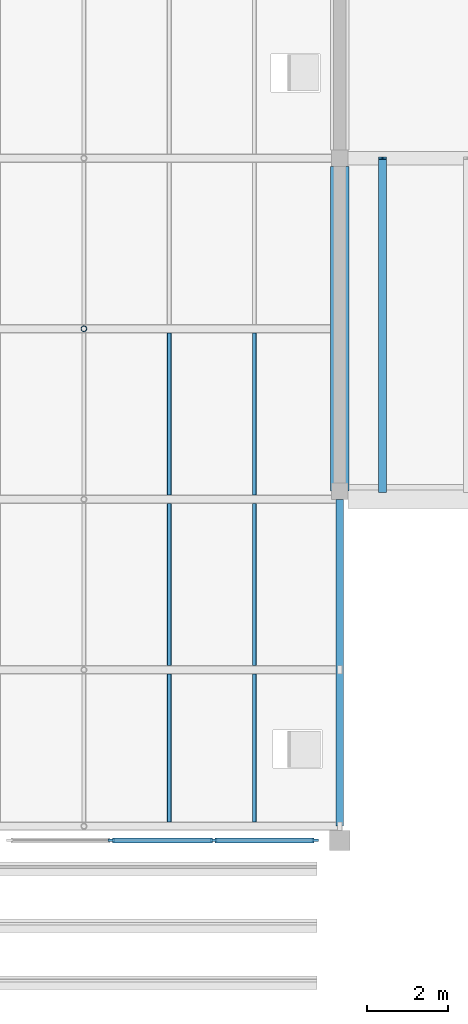
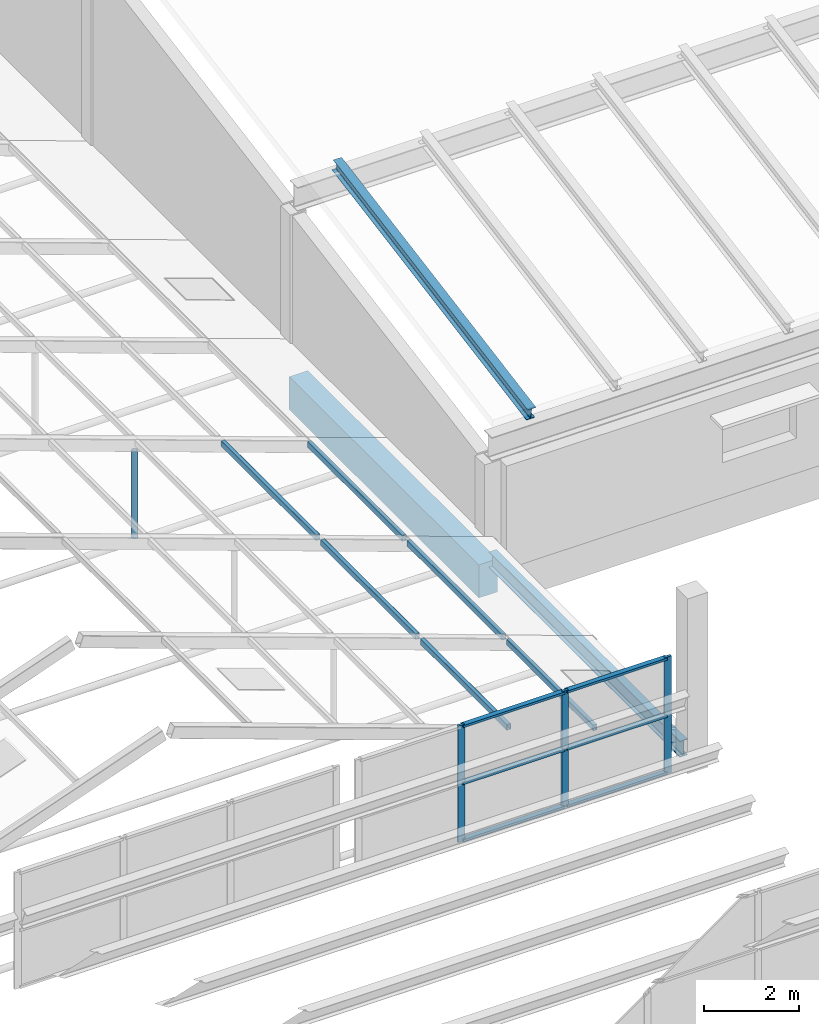
# One storey, part 35 of 116: 18 members, 1 beam, 1 element without a shape of its own.
"""IFC4 building model written with IfcOpenShell, lengths in metres."""

import ifcopenshell
import ifcopenshell.guid

model = None  # the IFC model being written
_history = None  # IfcOwnerHistory: only IFC2X3 demands one
_inside = {}  # id of a spatial element -> (the spatial element, [elements in it])
_under = {}  # id of a project, library or spatial element -> (it, [spatial elements below it])
_declared = {}  # id of a project -> (the project, [libraries it declares])
_typed = {}  # id of a type object -> (the type object, [elements of that type])
_made_of = {}  # id of a material, layer set ... -> (it, [elements and type objects made of it])


def new_model(schema):
    """Start an empty IFC model of exactly this schema.

    Asked for "IFC4X3", IfcOpenShell would pick the latest addendum, in which some entities
    have other attributes; the version numbers below select the first issue.
    IFC2X3 requires an IfcOwnerHistory on every rooted entity: one is made here for all.
    """
    global model, _history
    if schema == "IFC4X3":
        model = ifcopenshell.file(schema_version=(4, 3, 0, 0))
    else:
        model = ifcopenshell.file(schema=schema)
    _inside.clear()
    _under.clear()
    _declared.clear()
    _typed.clear()
    _made_of.clear()
    _history = None
    if model.schema == "IFC2X3":
        org = make("IfcOrganization", Name="unknown")
        user = make(
            "IfcPersonAndOrganization",
            ThePerson=make("IfcPerson", FamilyName="unknown"),
            TheOrganization=org,
        )
        app = make(
            "IfcApplication",
            ApplicationDeveloper=org,
            Version="unknown",
            ApplicationFullName="unknown",
            ApplicationIdentifier="unknown",
        )
        _history = make(
            "IfcOwnerHistory",
            OwningUser=user,
            OwningApplication=app,
            ChangeAction="ADDED",
            CreationDate=0,
        )
    return model


def make(cls, **values):
    """One entity of the class cls with the attributes given. An attribute that is None is left unset."""
    return model.create_entity(
        cls, **{name: value for name, value in values.items() if value is not None}
    )


def rooted(cls, **values):
    """An entity with a GlobalId (a new one), such as an element, a storey or a relation."""
    return make(cls, GlobalId=ifcopenshell.guid.new(), OwnerHistory=_history, **values)


def si_unit(unit_type, name, prefix=None):
    """IfcSIUnit, for example si_unit("LENGTHUNIT", "METRE", prefix="MILLI")."""
    return make("IfcSIUnit", UnitType=unit_type, Prefix=prefix, Name=name)


def assignment(units):
    """IfcUnitAssignment: the units of a project."""
    return None if units is None else make("IfcUnitAssignment", Units=units)


def point(xyz):
    """IfcCartesianPoint."""
    return None if xyz is None else make("IfcCartesianPoint", Coordinates=xyz)


def direction(xyz):
    """IfcDirection."""
    return None if xyz is None else make("IfcDirection", DirectionRatios=xyz)


def frame(location, z_axis=None, x_axis=None):
    """IfcAxis2Placement3D, a coordinate frame: its origin and axes. An axis left out is left unset."""
    return make(
        "IfcAxis2Placement3D",
        Location=point(location),
        Axis=direction(z_axis),
        RefDirection=direction(x_axis),
    )


def frame_2d(location, x_axis=None):
    """IfcAxis2Placement2D, a coordinate frame in the plane: its origin and x axis."""
    return make(
        "IfcAxis2Placement2D", Location=point(location), RefDirection=direction(x_axis)
    )


def origin():
    """The frame at (0, 0, 0) with its axes left unset."""
    return frame((0.0, 0.0, 0.0))


def origin_2d():
    """The frame at (0, 0) in the plane with its x axis left unset."""
    return frame_2d((0.0, 0.0))


def place(relative_to, where):
    """IfcLocalPlacement: puts the frame where relative to a parent placement (None: the world)."""
    return make(
        "IfcLocalPlacement", PlacementRelTo=relative_to, RelativePlacement=where
    )


def context(
    kind, dimensions, precision=None, world=None, true_north=None, identifier=None
):
    """IfcGeometricRepresentationContext, for example the 3D "Model" context."""
    return make(
        "IfcGeometricRepresentationContext",
        ContextIdentifier=identifier,
        ContextType=kind,
        CoordinateSpaceDimension=dimensions,
        Precision=precision,
        WorldCoordinateSystem=world,
        TrueNorth=true_north,
    )


def subcontext(parent, identifier, kind, view, scale=None):
    """IfcGeometricRepresentationSubContext, for example "Body" below "Model"."""
    return make(
        "IfcGeometricRepresentationSubContext",
        ContextIdentifier=identifier,
        ContextType=kind,
        ParentContext=parent,
        TargetScale=scale,
        TargetView=view,
    )


def project(units=None, contexts=None):
    """IfcProject with its units and contexts."""
    return rooted(
        "IfcProject",
        Name="project",
        RepresentationContexts=contexts,
        UnitsInContext=assignment(units),
    )


def spatial(cls, under=None, at=None, **own):
    """A site, building, storey or space (cls), placed at a placement, below another one or the project."""
    s = rooted(cls, ObjectPlacement=at, **own)
    if under is not None:
        _under.setdefault(under.id(), (under, []))[1].append(s)
    return s


def profile(cls, at=None, kind="AREA", **sizes):
    """A parametric profile (cls). Its sizes go by their IFC names, for example OverallWidth=200.0."""
    return make(cls, ProfileType=kind, Position=at, **sizes)


def rectangle(**sizes):
    """IfcRectangleProfileDef."""
    return profile("IfcRectangleProfileDef", **sizes)


def hollow_rectangle(**sizes):
    """IfcRectangleHollowProfileDef."""
    return profile("IfcRectangleHollowProfileDef", **sizes)


def hollow_circle(**sizes):
    """IfcCircleHollowProfileDef."""
    return profile("IfcCircleHollowProfileDef", **sizes)


def i_section(**sizes):
    """IfcIShapeProfileDef."""
    return profile("IfcIShapeProfileDef", **sizes)


def extrude(swept, where, along, depth):
    """IfcExtrudedAreaSolid: the profile swept, set in the frame where, extruded along a direction by depth."""
    return make(
        "IfcExtrudedAreaSolid",
        SweptArea=swept,
        Position=where,
        ExtrudedDirection=direction(along),
        Depth=depth,
    )


def shape(context_of_items, identifier, shape_type, items):
    """IfcShapeRepresentation: the items that make up one representation, for example the "Body"."""
    return make(
        "IfcShapeRepresentation",
        ContextOfItems=context_of_items,
        RepresentationIdentifier=identifier,
        RepresentationType=shape_type,
        Items=items,
    )


def material(Name=None, Category=None):
    """IfcMaterial."""
    return make("IfcMaterial", Name=Name, Category=Category)


def material_profile(
    of_material, cross_section, Name=None, Category=None, Priority=None
):
    """IfcMaterialProfile: a cross section and its material."""
    return make(
        "IfcMaterialProfile",
        Name=Name,
        Material=of_material,
        Profile=cross_section,
        Priority=Priority,
        Category=Category,
    )


def profile_set(profiles, Name=None, composite=None):
    """IfcMaterialProfileSet."""
    return make(
        "IfcMaterialProfileSet",
        Name=Name,
        MaterialProfiles=profiles,
        CompositeProfile=composite,
    )


def made_of(thing, what):
    """Note that an element or type object is made of a material, layer set ...; save() writes the relation."""
    if what is not None:
        _made_of.setdefault(what.id(), (what, []))[1].append(thing)
    return thing


def type_object(cls, material=None, **own):
    """A type object (cls), such as IfcWallType, which elements share."""
    return made_of(rooted(cls, **own), material)


def element(
    cls,
    number,
    at=None,
    inside=None,
    cuts=None,
    type_object=None,
    material=None,
    context=None,
    identifier="Body",
    shape_type=None,
    held_by="IfcProductDefinitionShape",
    body=None,
    shapes=None,
    **own,
):
    """One element of the class cls, such as IfcWall. Its Tag is "e" and its number.

    at: its placement. inside: the storey or other place that contains it. cuts: it is an
    opening in that element (IfcRelVoidsElement). A single representation is given by context,
    identifier, shape_type and body (its items); several are given by shapes. held_by: the class
    of the entity that holds the representations. save() writes the other relations.
    """
    e = rooted(cls, Tag="e%d" % number, ObjectPlacement=at, **own)
    if body is not None:
        shapes = [shape(context, identifier, shape_type, body)]
    if shapes is not None:
        e.Representation = make(held_by, Representations=shapes)
    if inside is not None:
        _inside.setdefault(inside.id(), (inside, []))[1].append(e)
    if cuts is not None:
        rooted(
            "IfcRelVoidsElement", RelatingBuildingElement=cuts, RelatedOpeningElement=e
        )
    if type_object is not None:
        _typed.setdefault(type_object.id(), (type_object, []))[1].append(e)
    return made_of(e, material)


def aggregate(whole, parts):
    """IfcRelAggregates: a whole, such as a stair, and the parts it consists of."""
    return rooted("IfcRelAggregates", RelatingObject=whole, RelatedObjects=parts)


def save(model, path):
    """Write the relations noted so far, then the file.

    IfcRelAggregates (storeys below a building ...), IfcRelContainedInSpatialStructure (elements
    in a storey), IfcRelDefinesByType, IfcRelAssociatesMaterial and IfcRelDeclares: one each for
    every whole, place, type object, material and project.
    """
    for whole, parts in _under.values():
        aggregate(whole, parts)
    for where, things in _inside.values():
        rooted(
            "IfcRelContainedInSpatialStructure",
            RelatedElements=things,
            RelatingStructure=where,
        )
    for kind, things in _typed.values():
        rooted("IfcRelDefinesByType", RelatedObjects=things, RelatingType=kind)
    for what, things in _made_of.values():
        rooted("IfcRelAssociatesMaterial", RelatedObjects=things, RelatingMaterial=what)
    for by, libraries in _declared.values():
        rooted("IfcRelDeclares", RelatingContext=by, RelatedDefinitions=libraries)
    model.write(path)


model = new_model("IFC4")

# Units and contexts
model_context = context("Model", 3, precision=1e-05, world=origin(), true_north=direction((0.0, 1.0)))
body_context = subcontext(model_context, "Body", "Model", "MODEL_VIEW")
ifc_project = project(units=[si_unit("LENGTHUNIT", "METRE"), si_unit("AREAUNIT", "SQUARE_METRE"), si_unit("VOLUMEUNIT", "CUBIC_METRE"), si_unit("PLANEANGLEUNIT", "RADIAN"), si_unit("MASSUNIT", "GRAM", prefix="KILO")], contexts=[model_context])

# Site, building, storey
site_placement = place(None, origin())
site = spatial("IfcSite", under=ifc_project, at=site_placement, CompositionType="ELEMENT")
building_placement = place(site_placement, origin())
building = spatial("IfcBuilding", under=site, at=building_placement, Name="Fescue Hill Polytechnic", CompositionType="ELEMENT")
storey_placement = place(building_placement, frame((0.0, 0.0, 13.5)))
storey = spatial("IfcBuildingStorey", under=building, at=storey_placement, Name="L03", CompositionType="ELEMENT", Elevation=13.5)

# Beam
ifc_material_1 = material(Name="Concrete 35 MPa", Category="concrete")
ifc_material_profile_1 = material_profile(ifc_material_1, rectangle(XDim=0.449951171875, YDim=0.85009765625, at=origin_2d()), Name="RC 450x850")
ifc_profile_set_1 = profile_set([ifc_material_profile_1], Name="Concrete 35 MPa")
beam_type = type_object("IfcBeamType", Name="Beam RC 450x850", PredefinedType="BEAM", material=ifc_profile_set_1)
beam_placement = place(storey_placement, frame((117.60009765625, 67.0, -0.425048828125), z_axis=(0.0, -1.0, 0.0), x_axis=(1.0, 0.0, 0.0)))
element("IfcBeam", 1, at=beam_placement, inside=storey, type_object=beam_type, Name="BM-L03-0141", PredefinedType="BEAM", context=body_context, shape_type="SweptSolid", body=[
    extrude(rectangle(XDim=0.449951171875, YDim=0.85009765625, at=origin_2d()), origin(), (0.0, 0.0, 1.0), 8.0),
])

# Curtain wall, members
ifc_material_2 = material(Name="Aluminium and glass", Category="aluminium")
curtain_wall_type = type_object("IfcCurtainWallType", Name="Sawtooth north glazing curtain wall", PredefinedType="NOTDEFINED", material=ifc_material_2)
curtain_wall_placement = place(storey_placement, origin())
curtain_wall = element("IfcCurtainWall", 2, at=curtain_wall_placement, inside=storey, type_object=curtain_wall_type, Name="Sawtooth 4 north glazing bay 7 part 2", PredefinedType="NOTDEFINED")
ifc_material_3 = material(Name="Aluminium", Category="aluminium")
ifc_material_profile_2 = material_profile(ifc_material_3, rectangle(XDim=0.06005859375, YDim=0.159912109375, at=origin_2d()), Name="Curtain wall mullion 60x160")
ifc_profile_set_2 = profile_set([ifc_material_profile_2], Name="Aluminium")
member_type_1 = type_object("IfcMemberType", Name="Curtain wall mullion 60x160", PredefinedType="MULLION", material=ifc_profile_set_2)
member_1_placement = place(storey_placement, frame((111.969970703125, 50.39990234375, 0.0), z_axis=(0.0, 0.0, 1.0), x_axis=(0.0, 1.0, 0.0)))
member_1 = element("IfcMember", 3, at=member_1_placement, type_object=member_type_1, Name="CW35 mullion 2", PredefinedType="MULLION", context=body_context, shape_type="SweptSolid", body=[
    extrude(rectangle(XDim=0.06005859375, YDim=0.159912109375, at=origin_2d()), origin(), (0.0, 0.0, 1.0), 3.0),
])
member_2_placement = place(storey_placement, frame((114.5, 50.39990234375, 0.0), z_axis=(0.0, 0.0, 1.0), x_axis=(0.0, 1.0, 0.0)))
member_2 = element("IfcMember", 4, at=member_2_placement, type_object=member_type_1, Name="CW35 mullion 3", PredefinedType="MULLION", context=body_context, shape_type="SweptSolid", body=[
    extrude(rectangle(XDim=0.06005859375, YDim=0.159912109375, at=origin_2d()), origin(), (0.0, 0.0, 1.0), 3.0),
])
member_3_placement = place(storey_placement, frame((117.0, 50.39990234375, 0.0), z_axis=(0.0, 0.0, 1.0), x_axis=(0.0, 1.0, 0.0)))
member_3 = element("IfcMember", 5, at=member_3_placement, type_object=member_type_1, Name="CW35 mullion 4", PredefinedType="MULLION", context=body_context, shape_type="SweptSolid", body=[
    extrude(rectangle(XDim=0.06005859375, YDim=0.159912109375, at=origin_2d()), origin(), (0.0, 0.0, 1.0), 3.0),
])
ifc_material_profile_3 = material_profile(ifc_material_3, rectangle(XDim=0.1201171875, YDim=0.06005859375, at=origin_2d()), Name="Curtain wall transom 60x120")
ifc_profile_set_3 = profile_set([ifc_material_profile_3], Name="Aluminium")
member_type_2 = type_object("IfcMemberType", Name="Curtain wall transom 60x120", PredefinedType="USERDEFINED", material=ifc_profile_set_3)
member_4_placement = place(storey_placement, frame((112.0, 50.39990234375, 0.030029296875), z_axis=(1.0, 0.0, 0.0), x_axis=(0.0, 1.0, 0.0)))
member_4 = element("IfcMember", 6, at=member_4_placement, type_object=member_type_2, Name="CW35 transom 2.1", ObjectType="TRANSOM", PredefinedType="USERDEFINED", context=body_context, shape_type="SweptSolid", body=[
    extrude(rectangle(XDim=0.1201171875, YDim=0.06005859375, at=origin_2d()), origin(), (0.0, 0.0, 1.0), 2.469970703125),
])
member_5_placement = place(storey_placement, frame((112.0, 50.39990234375, 1.5), z_axis=(1.0, 0.0, 0.0), x_axis=(0.0, 1.0, 0.0)))
member_5 = element("IfcMember", 7, at=member_5_placement, type_object=member_type_2, Name="CW35 transom 2.2", ObjectType="TRANSOM", PredefinedType="USERDEFINED", context=body_context, shape_type="SweptSolid", body=[
    extrude(rectangle(XDim=0.1201171875, YDim=0.06005859375, at=origin_2d()), origin(), (0.0, 0.0, 1.0), 2.469970703125),
])
member_6_placement = place(storey_placement, frame((112.0, 50.39990234375, 2.969970703125), z_axis=(1.0, 0.0, 0.0), x_axis=(0.0, 1.0, 0.0)))
member_6 = element("IfcMember", 8, at=member_6_placement, type_object=member_type_2, Name="CW35 transom 2.3", ObjectType="TRANSOM", PredefinedType="USERDEFINED", context=body_context, shape_type="SweptSolid", body=[
    extrude(rectangle(XDim=0.1201171875, YDim=0.06005859375, at=origin_2d()), origin(), (0.0, 0.0, 1.0), 2.469970703125),
])
member_7_placement = place(storey_placement, frame((114.530029296875, 50.39990234375, 0.030029296875), z_axis=(1.0, 0.0, 0.0), x_axis=(0.0, 1.0, 0.0)))
member_7 = element("IfcMember", 9, at=member_7_placement, type_object=member_type_2, Name="CW35 transom 3.1", ObjectType="TRANSOM", PredefinedType="USERDEFINED", context=body_context, shape_type="SweptSolid", body=[
    extrude(rectangle(XDim=0.1201171875, YDim=0.06005859375, at=origin_2d()), origin(), (0.0, 0.0, 1.0), 2.43994140625),
])
member_8_placement = place(storey_placement, frame((114.530029296875, 50.39990234375, 1.5), z_axis=(1.0, 0.0, 0.0), x_axis=(0.0, 1.0, 0.0)))
member_8 = element("IfcMember", 10, at=member_8_placement, type_object=member_type_2, Name="CW35 transom 3.2", ObjectType="TRANSOM", PredefinedType="USERDEFINED", context=body_context, shape_type="SweptSolid", body=[
    extrude(rectangle(XDim=0.1201171875, YDim=0.06005859375, at=origin_2d()), origin(), (0.0, 0.0, 1.0), 2.43994140625),
])
member_9_placement = place(storey_placement, frame((114.530029296875, 50.39990234375, 2.969970703125), z_axis=(1.0, 0.0, 0.0), x_axis=(0.0, 1.0, 0.0)))
member_9 = element("IfcMember", 11, at=member_9_placement, type_object=member_type_2, Name="CW35 transom 3.3", ObjectType="TRANSOM", PredefinedType="USERDEFINED", context=body_context, shape_type="SweptSolid", body=[
    extrude(rectangle(XDim=0.1201171875, YDim=0.06005859375, at=origin_2d()), origin(), (0.0, 0.0, 1.0), 2.43994140625),
])
aggregate(curtain_wall, [member_1, member_2, member_3, member_4, member_5, member_6, member_7, member_8, member_9])

# Members
ifc_material_4 = material(Name="Steel 350W (350 MPa)", Category="steel")
ifc_material_profile_4 = material_profile(ifc_material_4, i_section(OverallWidth=0.202880859375, OverallDepth=0.302978515625, WebThickness=0.007568359375, FlangeThickness=0.01318359375, FilletRadius=0.02001953125, at=origin_2d()), Name="W310x60")
ifc_profile_set_4 = profile_set([ifc_material_profile_4], Name="Steel 350W (350 MPa)")
member_type_3 = type_object("IfcMemberType", Name="Lecture roof purlin W310x60", PredefinedType="PURLIN", material=ifc_profile_set_4)
member_10_placement = place(storey_placement, frame((118.64990234375, 59.0, 3.45068359375), z_axis=(0.0, 0.984431017148, 0.175771364213), x_axis=(-1.0, 0.0, 0.0)))
element("IfcMember", 12, at=member_10_placement, inside=storey, type_object=member_type_3, Name="Lecture roof purlin 1 bay 1", PredefinedType="PURLIN", context=body_context, shape_type="SweptSolid", body=[
    extrude(i_section(OverallWidth=0.202880859375, OverallDepth=0.302978515625, WebThickness=0.007568359375, FlangeThickness=0.01318359375, FilletRadius=0.02001953125, at=origin_2d()), origin(), (0.0, 0.0, 1.0), 8.32958984375),
])
ifc_material_profile_5 = material_profile(ifc_material_4, i_section(OverallWidth=0.180908203125, OverallDepth=0.4169921875, WebThickness=0.010986328125, FlangeThickness=0.018310546875, FilletRadius=0.016845703125, at=origin_2d()), Name="W410x85")
ifc_profile_set_5 = profile_set([ifc_material_profile_5], Name="Steel 350W (350 MPa)")
member_type_4 = type_object("IfcMemberType", Name="Winter garden eaves edge member W410x85", PredefinedType="PURLIN", material=ifc_profile_set_5)
member_11_placement = place(storey_placement, frame((117.60009765625, 50.75, 0.20849609375), z_axis=(0.0, 1.0, 0.0), x_axis=(-1.0, 0.0, 0.0)))
element("IfcMember", 13, at=member_11_placement, inside=storey, type_object=member_type_4, Name="Winter garden eaves edge member east", PredefinedType="PURLIN", context=body_context, shape_type="SweptSolid", body=[
    extrude(i_section(OverallWidth=0.180908203125, OverallDepth=0.4169921875, WebThickness=0.010986328125, FlangeThickness=0.018310546875, FilletRadius=0.016845703125, at=origin_2d()), origin(), (0.0, 0.0, 1.0), 8.050048828125),
])
ifc_material_profile_6 = material_profile(ifc_material_4, hollow_rectangle(XDim=0.1015625, YDim=0.15234375, WallThickness=0.00634765625, InnerFilletRadius=0.00634765625, OuterFilletRadius=0.0126953125, at=origin_2d()), Name="Winter garden glazing purlin HSS 152x102x6.4")
ifc_profile_set_6 = profile_set([ifc_material_profile_6], Name="Steel 350W (350 MPa)")
member_type_5 = type_object("IfcMemberType", Name="Winter garden glazing purlin HSS 152x102x6.4", PredefinedType="PURLIN", material=ifc_profile_set_6)
for number, where, z_axis, x_axis, name in (
    (14, (115.5, 50.8515625, 1.41455078125), (0.0, 1.0, 0.0), (-1.0, 0.0, 0.0), "Winter garden glazing purlin E1 bay 1"),
    (15, (113.400146484375, 50.8515625, 2.164306640625), (0.0, 1.0, 0.0), (-1.0, 0.0, 0.0), "Winter garden glazing purlin E2 bay 1"),
):
    element("IfcMember", number, at=place(storey_placement, frame(where, z_axis=z_axis, x_axis=x_axis)), inside=storey, type_object=member_type_5, Name=name, PredefinedType="PURLIN", context=body_context, shape_type="SweptSolid", body=[
        extrude(hollow_rectangle(XDim=0.1015625, YDim=0.15234375, WallThickness=0.00634765625, InnerFilletRadius=0.00634765625, OuterFilletRadius=0.0126953125, at=origin_2d()), origin(), (0.0, 0.0, 1.0), 3.646728515625),
    ])
for number, where, z_axis, x_axis, name in (
    (16, (115.5, 54.70166015625, 1.41455078125), (0.0, 1.0, 0.0), (-1.0, 0.0, 0.0), "Winter garden glazing purlin E1 bay 2"),
    (17, (113.400146484375, 54.70166015625, 2.164306640625), (0.0, 1.0, 0.0), (-1.0, 0.0, 0.0), "Winter garden glazing purlin E2 bay 2"),
    (18, (115.5, 58.901611328125, 1.41455078125), (0.0, 1.0, 0.0), (-1.0, 0.0, 0.0), "Winter garden glazing purlin E1 bay 3"),
    (19, (113.400146484375, 58.901611328125, 2.164306640625), (0.0, 1.0, 0.0), (-1.0, 0.0, 0.0), "Winter garden glazing purlin E2 bay 3"),
):
    element("IfcMember", number, at=place(storey_placement, frame(where, z_axis=z_axis, x_axis=x_axis)), inside=storey, type_object=member_type_5, Name=name, PredefinedType="PURLIN", context=body_context, shape_type="SweptSolid", body=[
        extrude(hollow_rectangle(XDim=0.1015625, YDim=0.15234375, WallThickness=0.00634765625, InnerFilletRadius=0.00634765625, OuterFilletRadius=0.0126953125, at=origin_2d()), origin(), (0.0, 0.0, 1.0), 3.996826171875),
    ])
ifc_material_profile_7 = material_profile(ifc_material_4, hollow_circle(Radius=0.070556640625, WallThickness=0.00634765625, at=origin_2d()), Name="Winter garden queen post CHS 141x6.4")
ifc_profile_set_7 = profile_set([ifc_material_profile_7], Name="Steel 350W (350 MPa)")
member_type_6 = type_object("IfcMemberType", Name="Winter garden queen post CHS 141x6.4", PredefinedType="POST", material=ifc_profile_set_7)
member_12_placement = place(storey_placement, frame((111.300048828125, 63.0, 0.4169921875), z_axis=(0.0, 0.0, 1.0), x_axis=(1.0, 0.0, 0.0)))
element("IfcMember", 20, at=member_12_placement, inside=storey, type_object=member_type_6, Name="Winter garden queen post 4B", PredefinedType="POST", context=body_context, shape_type="SweptSolid", body=[
    extrude(hollow_circle(Radius=0.070556640625, WallThickness=0.00634765625, at=origin_2d()), origin(), (0.0, 0.0, 1.0), 2.25),
])

save(model, "model.ifc")
